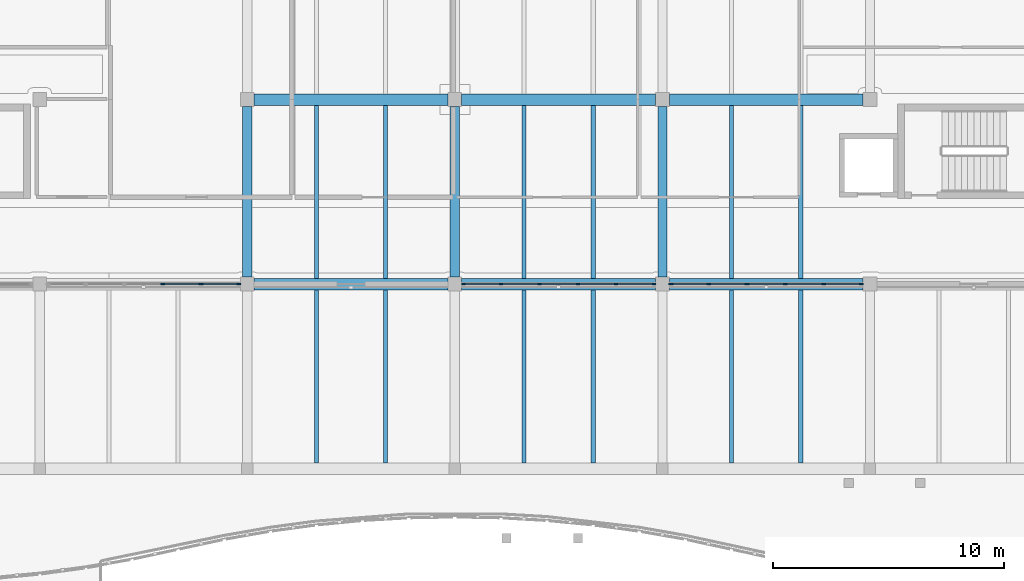
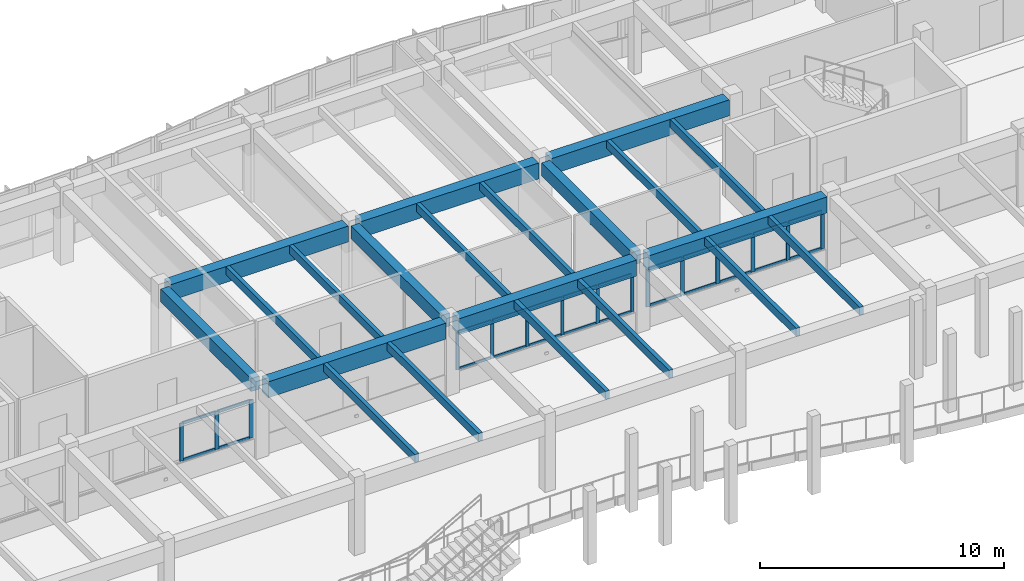
# One storey, part 22 of 89: 39 members, 21 beams, 3 elements without a shape of their own.
"""IFC4 building model written with IfcOpenShell, lengths in metres."""

from ifc_helpers import new_model, si_unit, direction, frame, origin, origin_2d, place, context, subcontext, project, spatial, rectangle, extrude, material, layer, layer_set, material_profile, profile_set, type_object, element, aggregate, save


model = new_model("IFC4")

# Units and contexts
model_context = context("Model", 3, precision=1e-05, world=origin(), true_north=direction((0.0, 1.0)))
body_context = subcontext(model_context, "Body", "Model", "MODEL_VIEW")
ifc_project = project(units=[si_unit("LENGTHUNIT", "METRE"), si_unit("AREAUNIT", "SQUARE_METRE"), si_unit("VOLUMEUNIT", "CUBIC_METRE"), si_unit("PLANEANGLEUNIT", "RADIAN"), si_unit("MASSUNIT", "GRAM", prefix="KILO")], contexts=[model_context])

# Site, building, storey
site_placement = place(None, origin())
site = spatial("IfcSite", under=ifc_project, at=site_placement, CompositionType="ELEMENT")
building_placement = place(site_placement, origin())
building = spatial("IfcBuilding", under=site, at=building_placement, Name="Tonlespit Floodbar School", CompositionType="ELEMENT")
storey_placement = place(building_placement, frame((0.0, 0.0, 4.5)))
storey = spatial("IfcBuildingStorey", under=building, at=storey_placement, Name="L01", CompositionType="ELEMENT", Elevation=4.5)

# Beams
ifc_material_1 = material(Name="Concrete C40/50", Category="concrete")
ifc_material_profile_1 = material_profile(ifc_material_1, rectangle(XDim=0.39990234375, YDim=0.64990234375, at=origin_2d()), Name="RC 400x650")
ifc_profile_set_1 = profile_set([ifc_material_profile_1], Name="Concrete C40/50")
beam_type_1 = type_object("IfcBeamType", Name="Beam_RC_400x650", PredefinedType="BEAM", material=ifc_profile_set_1)
for number, where, z_axis, x_axis, name in (
    (1, (71.0, 104.300048828125, 3.320068359375), (0.0, 1.0, 0.0), (-1.0, 0.0, 0.0), "L01 girder 0732"),
    (2, (80.0, 104.300048828125, 3.320068359375), (0.0, 1.0, 0.0), (-1.0, 0.0, 0.0), "L01 girder 0735"),
    (3, (89.0, 104.300048828125, 3.320068359375), (0.0, 1.0, 0.0), (-1.0, 0.0, 0.0), "L01 girder 0738"),
):
    element("IfcBeam", number, at=place(storey_placement, frame(where, z_axis=z_axis, x_axis=x_axis)), inside=storey, type_object=beam_type_1, Name=name, PredefinedType="BEAM", context=body_context, shape_type="SweptSolid", body=[
        extrude(rectangle(XDim=0.39990234375, YDim=0.64990234375, at=origin_2d()), origin(), (0.0, 0.0, 1.0), 7.39990234375),
    ])
ifc_material_profile_2 = material_profile(ifc_material_1, rectangle(XDim=0.5, YDim=0.800048828125, at=origin_2d()), Name="RC 500x800")
ifc_profile_set_2 = profile_set([ifc_material_profile_2], Name="Concrete C40/50")
beam_type_2 = type_object("IfcBeamType", Name="Beam_RC_500x800", PredefinedType="BEAM", material=ifc_profile_set_2)
for number, where, z_axis, x_axis, name in (
    (4, (71.300048828125, 104.0, 3.2451171875), (1.0, 0.0, 0.0), (0.0, 1.0, 0.0), "L01 girder 0632"),
    (5, (80.300048828125, 104.0, 3.2451171875), (1.0, 0.0, 0.0), (0.0, 1.0, 0.0), "L01 girder 0633"),
    (6, (89.300048828125, 104.0, 3.2451171875), (1.0, 0.0, 0.0), (0.0, 1.0, 0.0), "L01 girder 0634"),
    (7, (71.300048828125, 112.0, 3.2451171875), (1.0, 0.0, 0.0), (0.0, 1.0, 0.0), "L01 girder 0646"),
    (8, (80.300048828125, 112.0, 3.2451171875), (1.0, 0.0, 0.0), (0.0, 1.0, 0.0), "L01 girder 0647"),
    (9, (89.300048828125, 112.0, 3.2451171875), (1.0, 0.0, 0.0), (0.0, 1.0, 0.0), "L01 girder 0648"),
):
    element("IfcBeam", number, at=place(storey_placement, frame(where, z_axis=z_axis, x_axis=x_axis)), inside=storey, type_object=beam_type_2, Name=name, PredefinedType="BEAM", context=body_context, shape_type="SweptSolid", body=[
        extrude(rectangle(XDim=0.5, YDim=0.800048828125, at=origin_2d()), origin(), (0.0, 0.0, 1.0), 8.39990234375),
    ])

# Curtain wall, members
ifc_material_2 = material(Name="Anodised Aluminium", Category="aluminium")
ifc_layer = layer(ifc_material_2, 0.159912109375)
ifc_layer_set = layer_set([ifc_layer], Name="Anodised Aluminium")
curtain_wall_type = type_object("IfcCurtainWallType", Name="CurtainWall_8300x1900", PredefinedType="NOTDEFINED", material=ifc_layer_set)
curtain_wall_1_placement = place(storey_placement, origin())
curtain_wall_1 = element("IfcCurtainWall", 10, at=curtain_wall_1_placement, inside=storey, type_object=curtain_wall_type, Name="L01 unitised curtain wall 0078", PredefinedType="NOTDEFINED")
ifc_material_profile_3 = material_profile(ifc_material_2, rectangle(XDim=0.06494140625, YDim=0.14990234375, at=origin_2d()), Name="ALU M65x150")
ifc_profile_set_3 = profile_set([ifc_material_profile_3], Name="Anodised Aluminium")
member_type_1 = type_object("IfcMemberType", Name="CW_Mullion_65x150", PredefinedType="MULLION", material=ifc_profile_set_3)
member_1_placement = place(storey_placement, frame((88.62744140625, 104.0, 0.949951171875), z_axis=(0.0, 0.0, 1.0), x_axis=(0.0, -1.0, 0.0)))
member_1 = element("IfcMember", 11, at=member_1_placement, type_object=member_type_1, Name="CW-06 mullion 1", PredefinedType="MULLION", context=body_context, shape_type="SweptSolid", body=[
    extrude(rectangle(XDim=0.06494140625, YDim=0.14990234375, at=origin_2d()), origin(), (0.0, 0.0, 1.0), 1.89501953125),
])
member_2_placement = place(storey_placement, frame((86.99609375, 104.0, 0.949951171875), z_axis=(0.0, 0.0, 1.0), x_axis=(0.0, -1.0, 0.0)))
member_2 = element("IfcMember", 12, at=member_2_placement, type_object=member_type_1, Name="CW-06 mullion 2", PredefinedType="MULLION", context=body_context, shape_type="SweptSolid", body=[
    extrude(rectangle(XDim=0.06494140625, YDim=0.14990234375, at=origin_2d()), origin(), (0.0, 0.0, 1.0), 1.89501953125),
])
member_3_placement = place(storey_placement, frame((85.33203125, 104.0, 0.949951171875), z_axis=(0.0, 0.0, 1.0), x_axis=(0.0, -1.0, 0.0)))
member_3 = element("IfcMember", 13, at=member_3_placement, type_object=member_type_1, Name="CW-06 mullion 3", PredefinedType="MULLION", context=body_context, shape_type="SweptSolid", body=[
    extrude(rectangle(XDim=0.06494140625, YDim=0.14990234375, at=origin_2d()), origin(), (0.0, 0.0, 1.0), 1.89501953125),
])
member_4_placement = place(storey_placement, frame((83.66796875, 104.0, 0.949951171875), z_axis=(0.0, 0.0, 1.0), x_axis=(0.0, -1.0, 0.0)))
member_4 = element("IfcMember", 14, at=member_4_placement, type_object=member_type_1, Name="CW-06 mullion 4", PredefinedType="MULLION", context=body_context, shape_type="SweptSolid", body=[
    extrude(rectangle(XDim=0.06494140625, YDim=0.14990234375, at=origin_2d()), origin(), (0.0, 0.0, 1.0), 1.89501953125),
])
member_5_placement = place(storey_placement, frame((82.00390625, 104.0, 0.949951171875), z_axis=(0.0, 0.0, 1.0), x_axis=(0.0, -1.0, 0.0)))
member_5 = element("IfcMember", 15, at=member_5_placement, type_object=member_type_1, Name="CW-06 mullion 5", PredefinedType="MULLION", context=body_context, shape_type="SweptSolid", body=[
    extrude(rectangle(XDim=0.06494140625, YDim=0.14990234375, at=origin_2d()), origin(), (0.0, 0.0, 1.0), 1.89501953125),
])
member_6_placement = place(storey_placement, frame((80.37255859375, 104.0, 0.949951171875), z_axis=(0.0, 0.0, 1.0), x_axis=(0.0, -1.0, 0.0)))
member_6 = element("IfcMember", 16, at=member_6_placement, type_object=member_type_1, Name="CW-06 mullion 6", PredefinedType="MULLION", context=body_context, shape_type="SweptSolid", body=[
    extrude(rectangle(XDim=0.06494140625, YDim=0.14990234375, at=origin_2d()), origin(), (0.0, 0.0, 1.0), 1.89501953125),
])

curtain_wall_2_placement = place(storey_placement, origin())
curtain_wall_2 = element("IfcCurtainWall", 17, at=curtain_wall_2_placement, inside=storey, type_object=curtain_wall_type, Name="L01 unitised curtain wall 0077", PredefinedType="NOTDEFINED")
ifc_material_profile_4 = material_profile(ifc_material_2, rectangle(XDim=0.06494140625, YDim=0.179931640625, at=origin_2d()), Name="ALU M65x180")
ifc_profile_set_4 = profile_set([ifc_material_profile_4], Name="Anodised Aluminium")
member_type_2 = type_object("IfcMemberType", Name="CW_Mullion_65x180", PredefinedType="MULLION", material=ifc_profile_set_4)
member_7_placement = place(storey_placement, frame((97.62744140625, 104.0, 0.949951171875), z_axis=(0.0, 0.0, 1.0), x_axis=(0.0, -1.0, 0.0)))
member_7 = element("IfcMember", 18, at=member_7_placement, type_object=member_type_2, Name="CW-06 mullion 1", PredefinedType="MULLION", context=body_context, shape_type="SweptSolid", body=[
    extrude(rectangle(XDim=0.06494140625, YDim=0.179931640625, at=origin_2d()), origin(), (0.0, 0.0, 1.0), 1.89501953125),
])
member_8_placement = place(storey_placement, frame((95.99609375, 104.0, 0.949951171875), z_axis=(0.0, 0.0, 1.0), x_axis=(0.0, -1.0, 0.0)))
member_8 = element("IfcMember", 19, at=member_8_placement, type_object=member_type_2, Name="CW-06 mullion 2", PredefinedType="MULLION", context=body_context, shape_type="SweptSolid", body=[
    extrude(rectangle(XDim=0.06494140625, YDim=0.179931640625, at=origin_2d()), origin(), (0.0, 0.0, 1.0), 1.89501953125),
])
member_9_placement = place(storey_placement, frame((94.33203125, 104.0, 0.949951171875), z_axis=(0.0, 0.0, 1.0), x_axis=(0.0, -1.0, 0.0)))
member_9 = element("IfcMember", 20, at=member_9_placement, type_object=member_type_2, Name="CW-06 mullion 3", PredefinedType="MULLION", context=body_context, shape_type="SweptSolid", body=[
    extrude(rectangle(XDim=0.06494140625, YDim=0.179931640625, at=origin_2d()), origin(), (0.0, 0.0, 1.0), 1.89501953125),
])
member_10_placement = place(storey_placement, frame((92.66796875, 104.0, 0.949951171875), z_axis=(0.0, 0.0, 1.0), x_axis=(0.0, -1.0, 0.0)))
member_10 = element("IfcMember", 21, at=member_10_placement, type_object=member_type_2, Name="CW-06 mullion 4", PredefinedType="MULLION", context=body_context, shape_type="SweptSolid", body=[
    extrude(rectangle(XDim=0.06494140625, YDim=0.179931640625, at=origin_2d()), origin(), (0.0, 0.0, 1.0), 1.89501953125),
])
member_11_placement = place(storey_placement, frame((91.00390625, 104.0, 0.949951171875), z_axis=(0.0, 0.0, 1.0), x_axis=(0.0, -1.0, 0.0)))
member_11 = element("IfcMember", 22, at=member_11_placement, type_object=member_type_2, Name="CW-06 mullion 5", PredefinedType="MULLION", context=body_context, shape_type="SweptSolid", body=[
    extrude(rectangle(XDim=0.06494140625, YDim=0.179931640625, at=origin_2d()), origin(), (0.0, 0.0, 1.0), 1.89501953125),
])
member_12_placement = place(storey_placement, frame((89.37255859375, 104.0, 0.949951171875), z_axis=(0.0, 0.0, 1.0), x_axis=(0.0, -1.0, 0.0)))
member_12 = element("IfcMember", 23, at=member_12_placement, type_object=member_type_2, Name="CW-06 mullion 6", PredefinedType="MULLION", context=body_context, shape_type="SweptSolid", body=[
    extrude(rectangle(XDim=0.06494140625, YDim=0.179931640625, at=origin_2d()), origin(), (0.0, 0.0, 1.0), 1.89501953125),
])

curtain_wall_3_placement = place(storey_placement, origin())
curtain_wall_3 = element("IfcCurtainWall", 24, at=curtain_wall_3_placement, inside=storey, type_object=curtain_wall_type, Name="L01 unitised curtain wall 0079", PredefinedType="NOTDEFINED")
member_13_placement = place(storey_placement, frame((70.62744140625, 104.0, 0.949951171875), z_axis=(0.0, 0.0, 1.0), x_axis=(0.0, -1.0, 0.0)))
member_13 = element("IfcMember", 25, at=member_13_placement, type_object=member_type_2, Name="CW-06 mullion 1", PredefinedType="MULLION", context=body_context, shape_type="SweptSolid", body=[
    extrude(rectangle(XDim=0.06494140625, YDim=0.179931640625, at=origin_2d()), origin(), (0.0, 0.0, 1.0), 1.89501953125),
])
member_14_placement = place(storey_placement, frame((68.99609375, 104.0, 0.949951171875), z_axis=(0.0, 0.0, 1.0), x_axis=(0.0, -1.0, 0.0)))
member_14 = element("IfcMember", 26, at=member_14_placement, type_object=member_type_2, Name="CW-06 mullion 2", PredefinedType="MULLION", context=body_context, shape_type="SweptSolid", body=[
    extrude(rectangle(XDim=0.06494140625, YDim=0.179931640625, at=origin_2d()), origin(), (0.0, 0.0, 1.0), 1.89501953125),
])
member_15_placement = place(storey_placement, frame((67.33203125, 104.0, 0.949951171875), z_axis=(0.0, 0.0, 1.0), x_axis=(0.0, -1.0, 0.0)))
member_15 = element("IfcMember", 27, at=member_15_placement, type_object=member_type_2, Name="CW-06 mullion 3", PredefinedType="MULLION", context=body_context, shape_type="SweptSolid", body=[
    extrude(rectangle(XDim=0.06494140625, YDim=0.179931640625, at=origin_2d()), origin(), (0.0, 0.0, 1.0), 1.89501953125),
])

# Member
ifc_material_profile_5 = material_profile(ifc_material_2, rectangle(XDim=0.06494140625, YDim=0.1201171875, at=origin_2d()), Name="ALU T65x120")
ifc_profile_set_5 = profile_set([ifc_material_profile_5], Name="Anodised Aluminium")
member_type_3 = type_object("IfcMemberType", Name="CW_Transom_65x120", PredefinedType="USERDEFINED", material=ifc_profile_set_5)
member_16_placement = place(storey_placement, frame((88.594970703125, 104.0, 0.982421875), z_axis=(-1.0, 0.0, 0.0), x_axis=(0.0, -1.0, 0.0)))
member_16 = element("IfcMember", 28, at=member_16_placement, type_object=member_type_3, Name="CW-06 transom 1.1", ObjectType="TRANSOM", PredefinedType="USERDEFINED", context=body_context, shape_type="SweptSolid", body=[
    extrude(rectangle(XDim=0.06494140625, YDim=0.1201171875, at=origin_2d()), origin(), (0.0, 0.0, 1.0), 1.56640625),
])

member_17_placement = place(storey_placement, frame((88.594970703125, 104.0, 2.8125), z_axis=(-1.0, 0.0, 0.0), x_axis=(0.0, -1.0, 0.0)))
member_17 = element("IfcMember", 29, at=member_17_placement, type_object=member_type_3, Name="CW-06 transom 1.2", ObjectType="TRANSOM", PredefinedType="USERDEFINED", context=body_context, shape_type="SweptSolid", body=[
    extrude(rectangle(XDim=0.06494140625, YDim=0.1201171875, at=origin_2d()), origin(), (0.0, 0.0, 1.0), 1.56640625),
])

member_18_placement = place(storey_placement, frame((86.96337890625, 104.0, 0.982421875), z_axis=(-1.0, 0.0, 0.0), x_axis=(0.0, -1.0, 0.0)))
member_18 = element("IfcMember", 30, at=member_18_placement, type_object=member_type_3, Name="CW-06 transom 2.1", ObjectType="TRANSOM", PredefinedType="USERDEFINED", context=body_context, shape_type="SweptSolid", body=[
    extrude(rectangle(XDim=0.06494140625, YDim=0.1201171875, at=origin_2d()), origin(), (0.0, 0.0, 1.0), 1.598876953125),
])

member_19_placement = place(storey_placement, frame((86.96337890625, 104.0, 2.8125), z_axis=(-1.0, 0.0, 0.0), x_axis=(0.0, -1.0, 0.0)))
member_19 = element("IfcMember", 31, at=member_19_placement, type_object=member_type_3, Name="CW-06 transom 2.2", ObjectType="TRANSOM", PredefinedType="USERDEFINED", context=body_context, shape_type="SweptSolid", body=[
    extrude(rectangle(XDim=0.06494140625, YDim=0.1201171875, at=origin_2d()), origin(), (0.0, 0.0, 1.0), 1.598876953125),
])

member_20_placement = place(storey_placement, frame((85.299560546875, 104.0, 0.982421875), z_axis=(-1.0, 0.0, 0.0), x_axis=(0.0, -1.0, 0.0)))
member_20 = element("IfcMember", 32, at=member_20_placement, type_object=member_type_3, Name="CW-06 transom 3.1", ObjectType="TRANSOM", PredefinedType="USERDEFINED", context=body_context, shape_type="SweptSolid", body=[
    extrude(rectangle(XDim=0.06494140625, YDim=0.1201171875, at=origin_2d()), origin(), (0.0, 0.0, 1.0), 1.59912109375),
])

member_21_placement = place(storey_placement, frame((85.299560546875, 104.0, 2.8125), z_axis=(-1.0, 0.0, 0.0), x_axis=(0.0, -1.0, 0.0)))
member_21 = element("IfcMember", 33, at=member_21_placement, type_object=member_type_3, Name="CW-06 transom 3.2", ObjectType="TRANSOM", PredefinedType="USERDEFINED", context=body_context, shape_type="SweptSolid", body=[
    extrude(rectangle(XDim=0.06494140625, YDim=0.1201171875, at=origin_2d()), origin(), (0.0, 0.0, 1.0), 1.59912109375),
])

member_22_placement = place(storey_placement, frame((83.635498046875, 104.0, 0.982421875), z_axis=(-1.0, 0.0, 0.0), x_axis=(0.0, -1.0, 0.0)))
member_22 = element("IfcMember", 34, at=member_22_placement, type_object=member_type_3, Name="CW-06 transom 4.1", ObjectType="TRANSOM", PredefinedType="USERDEFINED", context=body_context, shape_type="SweptSolid", body=[
    extrude(rectangle(XDim=0.06494140625, YDim=0.1201171875, at=origin_2d()), origin(), (0.0, 0.0, 1.0), 1.598876953125),
])

member_23_placement = place(storey_placement, frame((83.635498046875, 104.0, 2.8125), z_axis=(-1.0, 0.0, 0.0), x_axis=(0.0, -1.0, 0.0)))
member_23 = element("IfcMember", 35, at=member_23_placement, type_object=member_type_3, Name="CW-06 transom 4.2", ObjectType="TRANSOM", PredefinedType="USERDEFINED", context=body_context, shape_type="SweptSolid", body=[
    extrude(rectangle(XDim=0.06494140625, YDim=0.1201171875, at=origin_2d()), origin(), (0.0, 0.0, 1.0), 1.598876953125),
])

member_24_placement = place(storey_placement, frame((81.971435546875, 104.0, 0.982421875), z_axis=(-1.0, 0.0, 0.0), x_axis=(0.0, -1.0, 0.0)))
member_24 = element("IfcMember", 36, at=member_24_placement, type_object=member_type_3, Name="CW-06 transom 5.1", ObjectType="TRANSOM", PredefinedType="USERDEFINED", context=body_context, shape_type="SweptSolid", body=[
    extrude(rectangle(XDim=0.06494140625, YDim=0.1201171875, at=origin_2d()), origin(), (0.0, 0.0, 1.0), 1.56640625),
])

member_25_placement = place(storey_placement, frame((81.971435546875, 104.0, 2.8125), z_axis=(-1.0, 0.0, 0.0), x_axis=(0.0, -1.0, 0.0)))
member_25 = element("IfcMember", 37, at=member_25_placement, type_object=member_type_3, Name="CW-06 transom 5.2", ObjectType="TRANSOM", PredefinedType="USERDEFINED", context=body_context, shape_type="SweptSolid", body=[
    extrude(rectangle(XDim=0.06494140625, YDim=0.1201171875, at=origin_2d()), origin(), (0.0, 0.0, 1.0), 1.56640625),
])

aggregate(curtain_wall_1, [member_1, member_2, member_3, member_4, member_5, member_6, member_16, member_17, member_18, member_19, member_20, member_21, member_22, member_23, member_24, member_25])

ifc_material_profile_6 = material_profile(ifc_material_2, rectangle(XDim=0.06494140625, YDim=0.139892578125, at=origin_2d()), Name="ALU T65x140")
ifc_profile_set_6 = profile_set([ifc_material_profile_6], Name="Anodised Aluminium")
member_type_4 = type_object("IfcMemberType", Name="CW_Transom_65x140", PredefinedType="USERDEFINED", material=ifc_profile_set_6)
member_26_placement = place(storey_placement, frame((97.594970703125, 104.0, 0.982421875), z_axis=(-1.0, 0.0, 0.0), x_axis=(0.0, -1.0, 0.0)))
member_26 = element("IfcMember", 38, at=member_26_placement, type_object=member_type_4, Name="CW-06 transom 1.1", ObjectType="TRANSOM", PredefinedType="USERDEFINED", context=body_context, shape_type="SweptSolid", body=[
    extrude(rectangle(XDim=0.06494140625, YDim=0.139892578125, at=origin_2d()), origin(), (0.0, 0.0, 1.0), 1.56640625),
])

member_27_placement = place(storey_placement, frame((97.594970703125, 104.0, 2.8125), z_axis=(-1.0, 0.0, 0.0), x_axis=(0.0, -1.0, 0.0)))
member_27 = element("IfcMember", 39, at=member_27_placement, type_object=member_type_4, Name="CW-06 transom 1.2", ObjectType="TRANSOM", PredefinedType="USERDEFINED", context=body_context, shape_type="SweptSolid", body=[
    extrude(rectangle(XDim=0.06494140625, YDim=0.139892578125, at=origin_2d()), origin(), (0.0, 0.0, 1.0), 1.56640625),
])

member_28_placement = place(storey_placement, frame((95.96337890625, 104.0, 0.982421875), z_axis=(-1.0, 0.0, 0.0), x_axis=(0.0, -1.0, 0.0)))
member_28 = element("IfcMember", 40, at=member_28_placement, type_object=member_type_4, Name="CW-06 transom 2.1", ObjectType="TRANSOM", PredefinedType="USERDEFINED", context=body_context, shape_type="SweptSolid", body=[
    extrude(rectangle(XDim=0.06494140625, YDim=0.139892578125, at=origin_2d()), origin(), (0.0, 0.0, 1.0), 1.598876953125),
])

member_29_placement = place(storey_placement, frame((95.96337890625, 104.0, 2.8125), z_axis=(-1.0, 0.0, 0.0), x_axis=(0.0, -1.0, 0.0)))
member_29 = element("IfcMember", 41, at=member_29_placement, type_object=member_type_4, Name="CW-06 transom 2.2", ObjectType="TRANSOM", PredefinedType="USERDEFINED", context=body_context, shape_type="SweptSolid", body=[
    extrude(rectangle(XDim=0.06494140625, YDim=0.139892578125, at=origin_2d()), origin(), (0.0, 0.0, 1.0), 1.598876953125),
])

member_30_placement = place(storey_placement, frame((94.299560546875, 104.0, 0.982421875), z_axis=(-1.0, 0.0, 0.0), x_axis=(0.0, -1.0, 0.0)))
member_30 = element("IfcMember", 42, at=member_30_placement, type_object=member_type_4, Name="CW-06 transom 3.1", ObjectType="TRANSOM", PredefinedType="USERDEFINED", context=body_context, shape_type="SweptSolid", body=[
    extrude(rectangle(XDim=0.06494140625, YDim=0.139892578125, at=origin_2d()), origin(), (0.0, 0.0, 1.0), 1.59912109375),
])

member_31_placement = place(storey_placement, frame((94.299560546875, 104.0, 2.8125), z_axis=(-1.0, 0.0, 0.0), x_axis=(0.0, -1.0, 0.0)))
member_31 = element("IfcMember", 43, at=member_31_placement, type_object=member_type_4, Name="CW-06 transom 3.2", ObjectType="TRANSOM", PredefinedType="USERDEFINED", context=body_context, shape_type="SweptSolid", body=[
    extrude(rectangle(XDim=0.06494140625, YDim=0.139892578125, at=origin_2d()), origin(), (0.0, 0.0, 1.0), 1.59912109375),
])

member_32_placement = place(storey_placement, frame((92.635498046875, 104.0, 0.982421875), z_axis=(-1.0, 0.0, 0.0), x_axis=(0.0, -1.0, 0.0)))
member_32 = element("IfcMember", 44, at=member_32_placement, type_object=member_type_4, Name="CW-06 transom 4.1", ObjectType="TRANSOM", PredefinedType="USERDEFINED", context=body_context, shape_type="SweptSolid", body=[
    extrude(rectangle(XDim=0.06494140625, YDim=0.139892578125, at=origin_2d()), origin(), (0.0, 0.0, 1.0), 1.598876953125),
])

member_33_placement = place(storey_placement, frame((92.635498046875, 104.0, 2.8125), z_axis=(-1.0, 0.0, 0.0), x_axis=(0.0, -1.0, 0.0)))
member_33 = element("IfcMember", 45, at=member_33_placement, type_object=member_type_4, Name="CW-06 transom 4.2", ObjectType="TRANSOM", PredefinedType="USERDEFINED", context=body_context, shape_type="SweptSolid", body=[
    extrude(rectangle(XDim=0.06494140625, YDim=0.139892578125, at=origin_2d()), origin(), (0.0, 0.0, 1.0), 1.598876953125),
])

member_34_placement = place(storey_placement, frame((90.971435546875, 104.0, 0.982421875), z_axis=(-1.0, 0.0, 0.0), x_axis=(0.0, -1.0, 0.0)))
member_34 = element("IfcMember", 46, at=member_34_placement, type_object=member_type_4, Name="CW-06 transom 5.1", ObjectType="TRANSOM", PredefinedType="USERDEFINED", context=body_context, shape_type="SweptSolid", body=[
    extrude(rectangle(XDim=0.06494140625, YDim=0.139892578125, at=origin_2d()), origin(), (0.0, 0.0, 1.0), 1.56640625),
])

member_35_placement = place(storey_placement, frame((90.971435546875, 104.0, 2.8125), z_axis=(-1.0, 0.0, 0.0), x_axis=(0.0, -1.0, 0.0)))
member_35 = element("IfcMember", 47, at=member_35_placement, type_object=member_type_4, Name="CW-06 transom 5.2", ObjectType="TRANSOM", PredefinedType="USERDEFINED", context=body_context, shape_type="SweptSolid", body=[
    extrude(rectangle(XDim=0.06494140625, YDim=0.139892578125, at=origin_2d()), origin(), (0.0, 0.0, 1.0), 1.56640625),
])

aggregate(curtain_wall_2, [member_7, member_8, member_9, member_10, member_11, member_12, member_26, member_27, member_28, member_29, member_30, member_31, member_32, member_33, member_34, member_35])

member_36_placement = place(storey_placement, frame((70.594970703125, 104.0, 0.982421875), z_axis=(-1.0, 0.0, 0.0), x_axis=(0.0, -1.0, 0.0)))
member_36 = element("IfcMember", 48, at=member_36_placement, type_object=member_type_4, Name="CW-06 transom 1.1", ObjectType="TRANSOM", PredefinedType="USERDEFINED", context=body_context, shape_type="SweptSolid", body=[
    extrude(rectangle(XDim=0.06494140625, YDim=0.139892578125, at=origin_2d()), origin(), (0.0, 0.0, 1.0), 1.56640625),
])

member_37_placement = place(storey_placement, frame((70.594970703125, 104.0, 2.8125), z_axis=(-1.0, 0.0, 0.0), x_axis=(0.0, -1.0, 0.0)))
member_37 = element("IfcMember", 49, at=member_37_placement, type_object=member_type_4, Name="CW-06 transom 1.2", ObjectType="TRANSOM", PredefinedType="USERDEFINED", context=body_context, shape_type="SweptSolid", body=[
    extrude(rectangle(XDim=0.06494140625, YDim=0.139892578125, at=origin_2d()), origin(), (0.0, 0.0, 1.0), 1.56640625),
])

member_38_placement = place(storey_placement, frame((68.96337890625, 104.0, 0.982421875), z_axis=(-1.0, 0.0, 0.0), x_axis=(0.0, -1.0, 0.0)))
member_38 = element("IfcMember", 50, at=member_38_placement, type_object=member_type_4, Name="CW-06 transom 2.1", ObjectType="TRANSOM", PredefinedType="USERDEFINED", context=body_context, shape_type="SweptSolid", body=[
    extrude(rectangle(XDim=0.06494140625, YDim=0.139892578125, at=origin_2d()), origin(), (0.0, 0.0, 1.0), 1.598876953125),
])

member_39_placement = place(storey_placement, frame((68.96337890625, 104.0, 2.8125), z_axis=(-1.0, 0.0, 0.0), x_axis=(0.0, -1.0, 0.0)))
member_39 = element("IfcMember", 51, at=member_39_placement, type_object=member_type_4, Name="CW-06 transom 2.2", ObjectType="TRANSOM", PredefinedType="USERDEFINED", context=body_context, shape_type="SweptSolid", body=[
    extrude(rectangle(XDim=0.06494140625, YDim=0.139892578125, at=origin_2d()), origin(), (0.0, 0.0, 1.0), 1.598876953125),
])

aggregate(curtain_wall_3, [member_13, member_14, member_15, member_36, member_37, member_38, member_39])

# Beams
ifc_material_3 = material(Name="Glulam GL28h", Category="wood")
ifc_material_profile_7 = material_profile(ifc_material_3, rectangle(XDim=0.179931640625, YDim=0.39990234375, at=origin_2d()), Name="GL 180x400")
ifc_profile_set_7 = profile_set([ifc_material_profile_7], Name="Glulam GL28h")
beam_type_3 = type_object("IfcBeamType", Name="Joist_GL_180x400", PredefinedType="JOIST", material=ifc_profile_set_7)
for number, where, z_axis, x_axis, name in (
    (52, (74.0, 96.25, 3.447998046875), (0.0, 1.0, 0.0), (-1.0, 0.0, 0.0), "L01 secondary joist 0869"),
    (53, (77.0, 96.25, 3.447998046875), (0.0, 1.0, 0.0), (-1.0, 0.0, 0.0), "L01 secondary joist 0870"),
    (54, (83.0, 96.25, 3.447998046875), (0.0, 1.0, 0.0), (-1.0, 0.0, 0.0), "L01 secondary joist 0871"),
    (55, (86.0, 96.25, 3.447998046875), (0.0, 1.0, 0.0), (-1.0, 0.0, 0.0), "L01 secondary joist 0872"),
    (56, (92.0, 96.25, 3.447998046875), (0.0, 1.0, 0.0), (-1.0, 0.0, 0.0), "L01 secondary joist 0873"),
    (57, (95.0, 96.25, 3.447998046875), (0.0, 1.0, 0.0), (-1.0, 0.0, 0.0), "L01 secondary joist 0874"),
    (58, (74.0, 104.25, 3.445068359375), (0.0, 1.0, 0.0), (-1.0, 0.0, 0.0), "L01 secondary joist 0880"),
    (59, (77.0, 104.25, 3.445068359375), (0.0, 1.0, 0.0), (-1.0, 0.0, 0.0), "L01 secondary joist 0881"),
    (60, (83.0, 104.25, 3.445068359375), (0.0, 1.0, 0.0), (-1.0, 0.0, 0.0), "L01 secondary joist 0882"),
    (61, (86.0, 104.25, 3.445068359375), (0.0, 1.0, 0.0), (-1.0, 0.0, 0.0), "L01 secondary joist 0883"),
    (62, (92.0, 104.25, 3.445068359375), (0.0, 1.0, 0.0), (-1.0, 0.0, 0.0), "L01 secondary joist 0884"),
    (63, (95.0, 104.25, 3.445068359375), (0.0, 1.0, 0.0), (-1.0, 0.0, 0.0), "L01 secondary joist 0885"),
):
    element("IfcBeam", number, at=place(storey_placement, frame(where, z_axis=z_axis, x_axis=x_axis)), inside=storey, type_object=beam_type_3, Name=name, PredefinedType="JOIST", context=body_context, shape_type="SweptSolid", body=[
        extrude(rectangle(XDim=0.179931640625, YDim=0.39990234375, at=origin_2d()), origin(), (0.0, 0.0, 1.0), 7.5),
    ])

save(model, "model.ifc")
